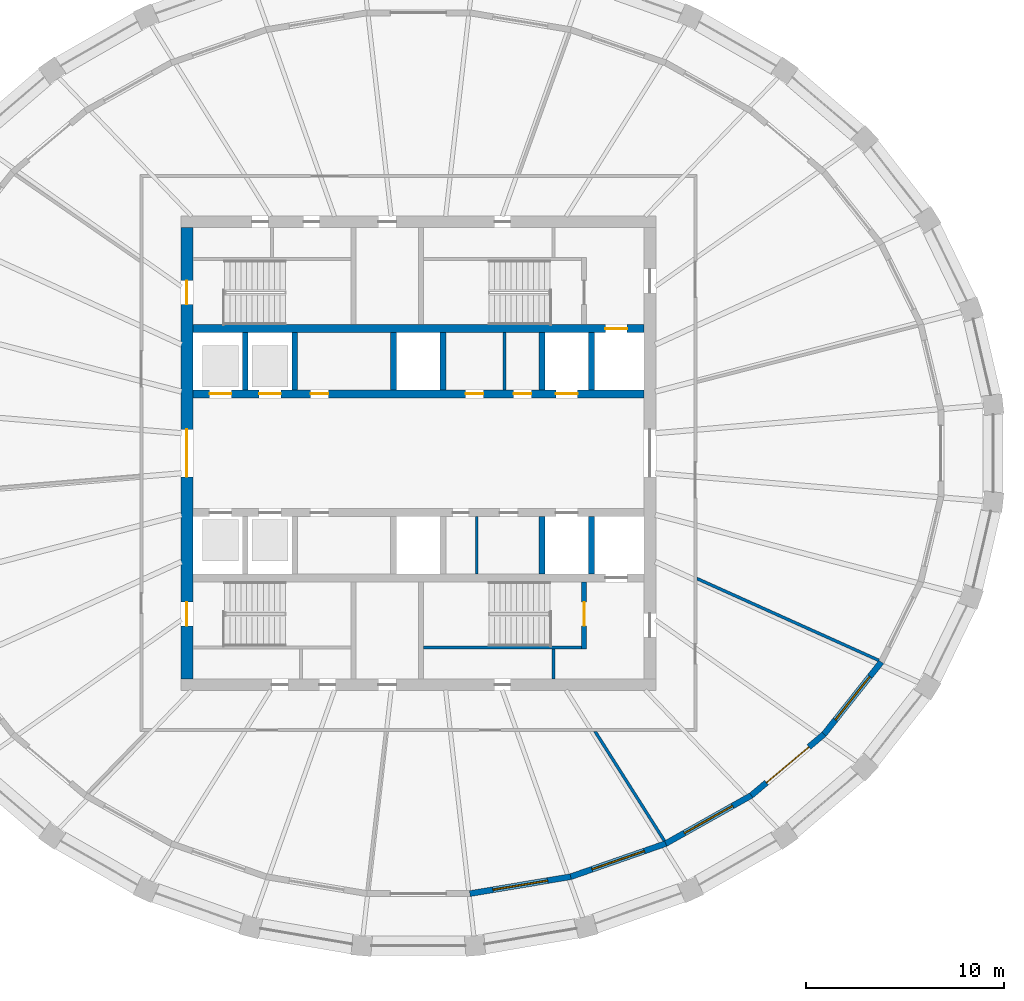
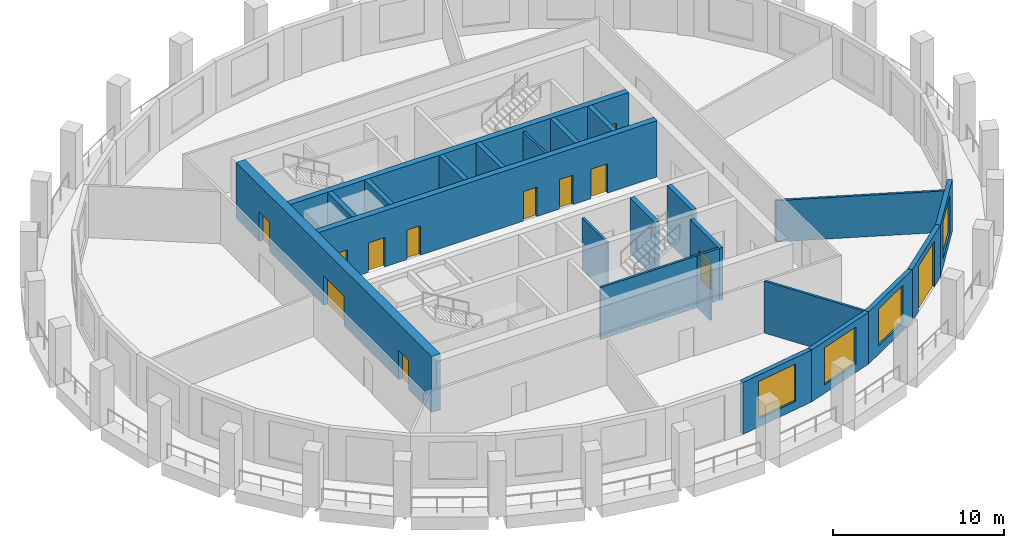
# One storey, part 4 of 10: 23 walls, 12 doors, 4 windows, 16 openings.
"""IFC4 building model written with IfcOpenShell, lengths in metres."""

from ifc_helpers import new_model, si_unit, direction, frame, frame_2d, origin, place, context, subcontext, project, spatial, polyline, rectangle, outline, extrude, material, layer, layer_set, type_object, element, fill, save


model = new_model("IFC4")

# Units and contexts
model_context = context("Model", 3, precision=1e-05, world=origin(), true_north=direction((0.0, 1.0)))
body_context = subcontext(model_context, "Body", "Model", "MODEL_VIEW")
ifc_project = project(units=[si_unit("LENGTHUNIT", "METRE"), si_unit("AREAUNIT", "SQUARE_METRE"), si_unit("VOLUMEUNIT", "CUBIC_METRE"), si_unit("PLANEANGLEUNIT", "RADIAN"), si_unit("MASSUNIT", "GRAM", prefix="KILO")], contexts=[model_context])

# Site, building, storey
site_placement = place(None, origin())
site = spatial("IfcSite", under=ifc_project, at=site_placement, CompositionType="ELEMENT")
building_placement = place(site_placement, origin())
building = spatial("IfcBuilding", under=site, at=building_placement, Name="Halqa Exchange Tower", CompositionType="ELEMENT")
storey_placement = place(building_placement, frame((0.0, 0.0, 296.300048828125)))
storey = spatial("IfcBuildingStorey", under=building, at=storey_placement, Name="L69", CompositionType="ELEMENT", Elevation=296.300048828125)

# Walls
ifc_material_1 = material(Name="Fire-rated gypsum board")
ifc_layer_1 = layer(ifc_material_1, 0.14990234375)
ifc_layer_set_1 = layer_set([ifc_layer_1], Name="Fire-rated gypsum board")
wall_type_1 = type_object("IfcWallType", Name="Fire partition EI 60 150", PredefinedType="PARTITIONING", material=ifc_layer_set_1)
wall_1_placement = place(storey_placement, frame((8.912109375, -14.034912109375, 0.0), z_axis=(0.0, 0.0, 1.0), x_axis=(0.535569757711, -0.844490991442, 0.0)))
element("IfcWall", 1, at=wall_1_placement, inside=storey, type_object=wall_type_1, Name="L69-PWL-009", PredefinedType="PARTITIONING", context=body_context, shape_type="SweptSolid", body=[
    extrude(outline(polyline([(0.0, -0.074951171875), (1.640869140625, -0.074951171875), (3.281494140625, -0.074951171875), (4.92236328125, -0.074951171875), (6.563232421875, -0.074951171875), (6.580810546875, 0.0009765625), (6.584716796875, 0.0732421875), (6.584716796875, 0.074951171875), (4.96240234375, 0.074951171875), (3.33984375, 0.074951171875), (1.717529296875, 0.074951171875), (0.094970703125, 0.074951171875), (0.0, -0.074951171875), (0.0, -0.074951171875)])), origin(), (0.0, 0.0, 1.0), 3.699951171875),
])
wall_2_placement = place(storey_placement, frame((14.044677734375, -6.320068359375, 0.0), z_axis=(0.0, 0.0, 1.0), x_axis=(0.912030730905, -0.410121867114, 0.0)))
element("IfcWall", 2, at=wall_2_placement, inside=storey, type_object=wall_type_1, Name="L69-PWL-011", PredefinedType="PARTITIONING", context=body_context, shape_type="SweptSolid", body=[
    extrude(outline(polyline([(0.06689453125, -0.074951171875), (1.73876953125, -0.074951171875), (3.410400390625, -0.074951171875), (5.082275390625, -0.074951171875), (6.75390625, -0.074951171875), (8.42578125, -0.074951171875), (10.097412109375, -0.074951171875), (10.115478515625, -0.003662109375), (10.1181640625, 0.072998046875), (10.1181640625, 0.074951171875), (8.431884765625, 0.074951171875), (6.745361328125, 0.074951171875), (5.05908203125, 0.074951171875), (3.372802734375, 0.074951171875), (1.686279296875, 0.074951171875), (0.0, 0.074951171875), (0.0, 0.073974609375), (0.06689453125, -0.074951171875)])), origin(), (0.0, 0.0, 1.0), 2.947021484375),
])
ifc_material_2 = material(Name="Gypsum board")
ifc_layer_2 = layer(ifc_material_2, 0.14990234375)
ifc_layer_set_2 = layer_set([ifc_layer_2], Name="Gypsum board")
wall_type_2 = type_object("IfcWallType", Name="Penthouse riser wall 150 gypsum", PredefinedType="PARTITIONING", material=ifc_layer_set_2)
wall_3_placement = place(storey_placement, frame((6.824951171875, -11.39990234375, 0.0), z_axis=(0.0, 0.0, 1.0), x_axis=(0.0, 1.0, 0.0)))
element("IfcWall", 3, at=wall_3_placement, inside=storey, type_object=wall_type_2, Name="Firefighting lobby west wall S", PredefinedType="PARTITIONING", context=body_context, shape_type="SweptSolid", body=[
    extrude(rectangle(XDim=1.5, YDim=0.14990234375, at=frame_2d((0.75, 0.0))), origin(), (0.0, 0.0, 1.0), 3.699951171875),
])
for number, where, z_axis, x_axis, name in (
    (4, (4.35009765625, 3.199951171875, 0.0), (0.0, 0.0, 1.0), (0.0, 1.0, 0.0), "Freed bay partition NE4.350"),
    (5, (2.949951171875, -6.10009765625, 0.0), (0.0, 0.0, 1.0), (0.0, 1.0, 0.0), "Freed bay partition SE2.950"),
):
    element("IfcWall", number, at=place(storey_placement, frame(where, z_axis=z_axis, x_axis=x_axis)), inside=storey, type_object=wall_type_2, Name=name, PredefinedType="PARTITIONING", context=body_context, shape_type="SweptSolid", body=[
        extrude(rectangle(XDim=2.900146484375, YDim=0.14990234375, at=frame_2d((1.4501953125, 0.0))), origin(), (0.0, 0.0, 1.0), 3.699951171875),
    ])
ifc_material_3 = material(Name="Concrete C60/75", Category="concrete")
ifc_layer_3 = layer(ifc_material_3, 0.300048828125)
ifc_layer_set_3 = layer_set([ifc_layer_3], Name="Concrete C60/75")
wall_type_3 = type_object("IfcWallType", Name="RC core wall 300", PredefinedType="SHEAR", material=ifc_layer_set_3)
for number, where, z_axis, x_axis, name in (
    (6, (-8.75, 3.199951171875, 0.0), (0.0, 0.0, 1.0), (0.0, 1.0, 0.0), "Shaft divider N1"),
    (7, (-6.25, 3.199951171875, 0.0), (0.0, 0.0, 1.0), (0.0, 1.0, 0.0), "Shaft divider N2"),
    (8, (-1.25, 3.199951171875, 0.0), (0.0, 0.0, 1.0), (0.0, 1.0, 0.0), "Shaft divider N4"),
    (9, (1.25, 3.199951171875, 0.0), (0.0, 0.0, 1.0), (0.0, 1.0, 0.0), "Shaft divider N5"),
    (10, (6.25, 3.199951171875, 0.0), (0.0, 0.0, 1.0), (0.0, 1.0, 0.0), "Shaft divider N7"),
    (11, (8.75, 3.199951171875, 0.0), (0.0, 0.0, 1.0), (0.0, 1.0, 0.0), "Shaft divider N8"),
    (12, (6.25, -6.10009765625, 0.0), (0.0, 0.0, 1.0), (0.0, 1.0, 0.0), "Shaft divider S7"),
    (13, (8.75, -6.10009765625, 0.0), (0.0, 0.0, 1.0), (0.0, 1.0, 0.0), "Shaft divider S8"),
):
    element("IfcWall", number, at=place(storey_placement, frame(where, z_axis=z_axis, x_axis=x_axis)), inside=storey, type_object=wall_type_3, Name=name, PredefinedType="SHEAR", context=body_context, shape_type="SweptSolid", body=[
        extrude(rectangle(XDim=2.900146484375, YDim=0.300048828125, at=frame_2d((1.4501953125, 0.0))), origin(), (0.0, 0.0, 1.0), 4.0),
    ])

# Wall, openings, doors
ifc_layer_4 = layer(ifc_material_3, 0.39990234375)
ifc_layer_set_4 = layer_set([ifc_layer_4], Name="Concrete C60/75")
wall_type_4 = type_object("IfcWallType", Name="RC core wall 400 C60/75", PredefinedType="SHEAR", material=ifc_layer_set_4)
wall_4_placement = place(storey_placement, frame((-11.39990234375, 3.0, 0.0), z_axis=(0.0, 0.0, 1.0), x_axis=(1.0, 0.0, 0.0)))
wall_4 = element("IfcWall", 14, at=wall_4_placement, inside=storey, type_object=wall_type_4, Name="Lift row front wall N", PredefinedType="SHEAR", context=body_context, shape_type="SweptSolid", body=[
    extrude(rectangle(XDim=22.7998046875, YDim=0.39990234375, at=frame_2d((11.39990234375, 0.0))), origin(), (0.0, 0.0, 1.0), 4.0),
])
opening_1_placement = place(wall_4_placement, frame((0.85009765625, 0.0, 0.0)))
opening_1 = element("IfcOpeningElement", 15, at=opening_1_placement, cuts=wall_4, Name="Opening LD-HR1-T21", PredefinedType="OPENING", context=body_context, shape_type="SweptSolid", body=[
    extrude(rectangle(XDim=1.10009765625, YDim=2.10009765625, at=frame_2d((0.550048828125, 1.050048828125))), frame((0.0, 0.2119140625, 0.0), z_axis=(0.0, -1.0, 0.0), x_axis=(1.0, 0.0, 0.0)), (0.0, 0.0, 1.0), 0.423828125),
])
opening_2_placement = place(wall_4_placement, frame((3.35009765625, 0.0, 0.0)))
opening_2 = element("IfcOpeningElement", 16, at=opening_2_placement, cuts=wall_4, Name="Opening LD-HR2-T21", PredefinedType="OPENING", context=body_context, shape_type="SweptSolid", body=[
    extrude(rectangle(XDim=1.10009765625, YDim=2.10009765625, at=frame_2d((0.550048828125, 1.050048828125))), frame((0.0, 0.2119140625, 0.0), z_axis=(0.0, -1.0, 0.0), x_axis=(1.0, 0.0, 0.0)), (0.0, 0.0, 1.0), 0.423828125),
])
opening_3_placement = place(wall_4_placement, frame((18.35009765625, 0.0, 0.0)))
opening_3 = element("IfcOpeningElement", 17, at=opening_3_placement, cuts=wall_4, Name="Opening LD-SV1-T21", PredefinedType="OPENING", context=body_context, shape_type="SweptSolid", body=[
    extrude(rectangle(XDim=1.10009765625, YDim=2.10009765625, at=frame_2d((0.550048828125, 1.050048828125))), frame((0.0, 0.2119140625, 0.0), z_axis=(0.0, -1.0, 0.0), x_axis=(1.0, 0.0, 0.0)), (0.0, 0.0, 1.0), 0.423828125),
])
opening_4_placement = place(wall_4_placement, frame((13.78759765625, 0.0, 0.0)))
opening_4 = element("IfcOpeningElement", 18, at=opening_4_placement, cuts=wall_4, Name="Opening T21-C25", PredefinedType="OPENING", context=body_context, shape_type="SweptSolid", body=[
    extrude(rectangle(XDim=0.89990234375, YDim=2.10009765625, at=frame_2d((0.449951171875, 1.050048828125))), frame((0.0, 0.2119140625, 0.0), z_axis=(0.0, -1.0, 0.0), x_axis=(1.0, 0.0, 0.0)), (0.0, 0.0, 1.0), 0.423828125),
])
opening_5_placement = place(wall_4_placement, frame((16.21240234375, 0.0, 0.0)))
opening_5 = element("IfcOpeningElement", 19, at=opening_5_placement, cuts=wall_4, Name="Opening T21-C26", PredefinedType="OPENING", context=body_context, shape_type="SweptSolid", body=[
    extrude(rectangle(XDim=0.89990234375, YDim=2.10009765625, at=frame_2d((0.449951171875, 1.050048828125))), frame((0.0, 0.2119140625, 0.0), z_axis=(0.0, -1.0, 0.0), x_axis=(1.0, 0.0, 0.0)), (0.0, 0.0, 1.0), 0.423828125),
])
opening_6_placement = place(wall_4_placement, frame((5.949951171875, 0.0, 0.0)))
opening_6 = element("IfcOpeningElement", 20, at=opening_6_placement, cuts=wall_4, Name="Opening T21-C27", PredefinedType="OPENING", context=body_context, shape_type="SweptSolid", body=[
    extrude(rectangle(XDim=0.89990234375, YDim=2.10009765625, at=frame_2d((0.449951171875, 1.050048828125))), frame((0.0, 0.2119140625, 0.0), z_axis=(0.0, -1.0, 0.0), x_axis=(1.0, 0.0, 0.0)), (0.0, 0.0, 1.0), 0.423828125),
])
ifc_material_4 = material(Name="Timber fire door leaf", Category="wood")
door_type_1 = type_object("IfcDoorType", Name="Core room door FD30 900 x 2100", OperationType="SINGLE_SWING_LEFT", PredefinedType="DOOR", material=ifc_material_4)
door_1_placement = place(opening_4_placement, origin())
door_1 = element("IfcDoor", 21, at=door_1_placement, inside=storey, type_object=door_type_1, Name="Core room door", OperationType="SINGLE_SWING_RIGHT", OverallHeight=2.10009765625, OverallWidth=0.89990234375, PredefinedType="DOOR", context=body_context, shape_type="SweptSolid", body=[
    extrude(rectangle(XDim=0.89990234375, YDim=2.10009765625, at=frame_2d((0.449951171875, 1.050048828125))), frame((0.0, 0.02490234375, 0.0), z_axis=(0.0, -1.0, 0.0), x_axis=(1.0, 0.0, 0.0)), (0.0, 0.0, 1.0), 0.050048828125),
])
fill(opening_4, door_1)
door_2_placement = place(opening_5_placement, origin())
door_2 = element("IfcDoor", 22, at=door_2_placement, inside=storey, type_object=door_type_1, Name="Core room door", OperationType="SINGLE_SWING_RIGHT", OverallHeight=2.10009765625, OverallWidth=0.89990234375, PredefinedType="DOOR", context=body_context, shape_type="SweptSolid", body=[
    extrude(rectangle(XDim=0.89990234375, YDim=2.10009765625, at=frame_2d((0.449951171875, 1.050048828125))), frame((0.0, 0.02490234375, 0.0), z_axis=(0.0, -1.0, 0.0), x_axis=(1.0, 0.0, 0.0)), (0.0, 0.0, 1.0), 0.050048828125),
])
fill(opening_5, door_2)
door_3_placement = place(opening_6_placement, origin())
door_3 = element("IfcDoor", 23, at=door_3_placement, inside=storey, type_object=door_type_1, Name="Core room door", OperationType="SINGLE_SWING_RIGHT", OverallHeight=2.10009765625, OverallWidth=0.89990234375, PredefinedType="DOOR", context=body_context, shape_type="SweptSolid", body=[
    extrude(rectangle(XDim=0.89990234375, YDim=2.10009765625, at=frame_2d((0.449951171875, 1.050048828125))), frame((0.0, 0.02490234375, 0.0), z_axis=(0.0, -1.0, 0.0), x_axis=(1.0, 0.0, 0.0)), (0.0, 0.0, 1.0), 0.050048828125),
])
fill(opening_6, door_3)
ifc_material_5 = material(Name="Stainless steel", Category="steel")
door_type_2 = type_object("IfcDoorType", Name="Lift landing door 1100 x 2100", OperationType="SLIDING_TO_LEFT", PredefinedType="DOOR", material=ifc_material_5)
door_4_placement = place(opening_1_placement, origin())
door_4 = element("IfcDoor", 24, at=door_4_placement, inside=storey, type_object=door_type_2, Name="Lift landing door HR1", OperationType="SLIDING_TO_LEFT", OverallHeight=2.10009765625, OverallWidth=1.10009765625, PredefinedType="DOOR", context=body_context, shape_type="SweptSolid", body=[
    extrude(rectangle(XDim=1.10009765625, YDim=2.10009765625, at=frame_2d((0.550048828125, 1.050048828125))), frame((0.0, 0.02490234375, 0.0), z_axis=(0.0, -1.0, 0.0), x_axis=(1.0, 0.0, 0.0)), (0.0, 0.0, 1.0), 0.050048828125),
])
fill(opening_1, door_4)
door_5_placement = place(opening_2_placement, origin())
door_5 = element("IfcDoor", 25, at=door_5_placement, inside=storey, type_object=door_type_2, Name="Lift landing door HR2", OperationType="SLIDING_TO_LEFT", OverallHeight=2.10009765625, OverallWidth=1.10009765625, PredefinedType="DOOR", context=body_context, shape_type="SweptSolid", body=[
    extrude(rectangle(XDim=1.10009765625, YDim=2.10009765625, at=frame_2d((0.550048828125, 1.050048828125))), frame((0.0, 0.02490234375, 0.0), z_axis=(0.0, -1.0, 0.0), x_axis=(1.0, 0.0, 0.0)), (0.0, 0.0, 1.0), 0.050048828125),
])
fill(opening_2, door_5)
door_6_placement = place(opening_3_placement, origin())
door_6 = element("IfcDoor", 26, at=door_6_placement, inside=storey, type_object=door_type_2, Name="Lift landing door SV1", OperationType="SLIDING_TO_LEFT", OverallHeight=2.10009765625, OverallWidth=1.10009765625, PredefinedType="DOOR", context=body_context, shape_type="SweptSolid", body=[
    extrude(rectangle(XDim=1.10009765625, YDim=2.10009765625, at=frame_2d((0.550048828125, 1.050048828125))), frame((0.0, 0.02490234375, 0.0), z_axis=(0.0, -1.0, 0.0), x_axis=(1.0, 0.0, 0.0)), (0.0, 0.0, 1.0), 0.050048828125),
])
fill(opening_3, door_6)

# Wall, opening, door
wall_5_placement = place(storey_placement, frame((-11.39990234375, 6.300048828125, 0.0), z_axis=(0.0, 0.0, 1.0), x_axis=(1.0, 0.0, 0.0)))
wall_5 = element("IfcWall", 27, at=wall_5_placement, inside=storey, type_object=wall_type_4, Name="Lift row back wall N", PredefinedType="SHEAR", context=body_context, shape_type="SweptSolid", body=[
    extrude(rectangle(XDim=22.7998046875, YDim=0.39990234375, at=frame_2d((11.39990234375, 0.0))), origin(), (0.0, 0.0, 1.0), 4.0),
])
opening_7_placement = place(wall_5_placement, frame((20.85009765625, 0.0, 0.0)))
opening_7 = element("IfcOpeningElement", 28, at=opening_7_placement, cuts=wall_5, Name="Opening LD-FF1-T21", PredefinedType="OPENING", context=body_context, shape_type="SweptSolid", body=[
    extrude(rectangle(XDim=1.10009765625, YDim=2.10009765625, at=frame_2d((0.550048828125, 1.050048828125))), frame((0.0, 0.2119140625, 0.0), z_axis=(0.0, -1.0, 0.0), x_axis=(1.0, 0.0, 0.0)), (0.0, 0.0, 1.0), 0.423828125),
])
door_7_placement = place(opening_7_placement, origin())
door_7 = element("IfcDoor", 29, at=door_7_placement, inside=storey, type_object=door_type_2, Name="Lift landing door FF1", OperationType="SLIDING_TO_LEFT", OverallHeight=2.10009765625, OverallWidth=1.10009765625, PredefinedType="DOOR", context=body_context, shape_type="SweptSolid", body=[
    extrude(rectangle(XDim=1.10009765625, YDim=2.10009765625, at=frame_2d((0.550048828125, 1.050048828125))), frame((0.0, 0.02490234375, 0.0), z_axis=(0.0, -1.0, 0.0), x_axis=(1.0, 0.0, 0.0)), (0.0, 0.0, 1.0), 0.050048828125),
])
fill(opening_7, door_7)

# Wall, openings, doors
ifc_layer_5 = layer(ifc_material_3, 0.60009765625)
ifc_layer_set_5 = layer_set([ifc_layer_5], Name="Concrete C60/75")
wall_type_5 = type_object("IfcWallType", Name="RC core wall 600 C60/75", PredefinedType="SHEAR", material=ifc_layer_set_5)
wall_6_placement = place(storey_placement, frame((-11.699951171875, -11.39990234375, 0.0), z_axis=(0.0, 0.0, 1.0), x_axis=(0.0, 1.0, 0.0)))
wall_6 = element("IfcWall", 30, at=wall_6_placement, inside=storey, type_object=wall_type_5, Name="Core wall west", PredefinedType="SHEAR", context=body_context, shape_type="SweptSolid", body=[
    extrude(rectangle(XDim=22.7998046875, YDim=0.60009765625, at=frame_2d((11.39990234375, 0.0))), origin(), (0.0, 0.0, 1.0), 4.0),
])
opening_8_placement = place(wall_6_placement, frame((10.199951171875, 0.0, 0.0)))
opening_8 = element("IfcOpeningElement", 31, at=opening_8_placement, cuts=wall_6, Name="Opening T21-C09", PredefinedType="OPENING", context=body_context, shape_type="SweptSolid", body=[
    extrude(rectangle(XDim=2.39990234375, YDim=2.10009765625, at=frame_2d((1.199951171875, 1.050048828125))), frame((0.0, 0.31201171875, 0.0), z_axis=(0.0, -1.0, 0.0), x_axis=(1.0, 0.0, 0.0)), (0.0, 0.0, 1.0), 0.6240234375),
])
opening_9_placement = place(wall_6_placement, frame((18.925048828125, 0.0, 0.0)))
opening_9 = element("IfcOpeningElement", 32, at=opening_9_placement, cuts=wall_6, Name="Opening T21-C11", PredefinedType="OPENING", context=body_context, shape_type="SweptSolid", body=[
    extrude(rectangle(XDim=1.199951171875, YDim=2.10009765625, at=frame_2d((0.60009765625, 1.050048828125))), frame((0.0, 0.31201171875, 0.0), z_axis=(0.0, -1.0, 0.0), x_axis=(1.0, 0.0, 0.0)), (0.0, 0.0, 1.0), 0.6240234375),
])
opening_10_placement = place(wall_6_placement, frame((2.675048828125, 0.0, 0.0)))
opening_10 = element("IfcOpeningElement", 33, at=opening_10_placement, cuts=wall_6, Name="Opening T21-C13", PredefinedType="OPENING", context=body_context, shape_type="SweptSolid", body=[
    extrude(rectangle(XDim=1.199951171875, YDim=2.10009765625, at=frame_2d((0.60009765625, 1.050048828125))), frame((0.0, 0.31201171875, 0.0), z_axis=(0.0, -1.0, 0.0), x_axis=(1.0, 0.0, 0.0)), (0.0, 0.0, 1.0), 0.6240234375),
])
ifc_material_6 = material(Name="Steel fire door leaf", Category="steel")
door_type_3 = type_object("IfcDoorType", Name="Lobby double door FD60 2400 x 2100", OperationType="DOUBLE_DOOR_SINGLE_SWING", PredefinedType="DOOR", material=ifc_material_6)
door_8_placement = place(opening_8_placement, frame((2.39990234375, 0.0, 0.0), z_axis=(0.0, 0.0, 1.0), x_axis=(-1.0, 0.0, 0.0)))
door_8 = element("IfcDoor", 34, at=door_8_placement, inside=storey, type_object=door_type_3, Name="Lift lobby double door", OperationType="DOUBLE_DOOR_SINGLE_SWING", OverallHeight=2.10009765625, OverallWidth=2.39990234375, PredefinedType="DOOR", context=body_context, shape_type="SweptSolid", body=[
    extrude(rectangle(XDim=2.39990234375, YDim=2.10009765625, at=frame_2d((1.199951171875, 1.050048828125))), frame((0.0, 0.02490234375, 0.0), z_axis=(0.0, -1.0, 0.0), x_axis=(1.0, 0.0, 0.0)), (0.0, 0.0, 1.0), 0.050048828125),
])
fill(opening_8, door_8)
door_type_4 = type_object("IfcDoorType", Name="Stair door FD90 1200 x 2100", OperationType="SINGLE_SWING_LEFT", PredefinedType="DOOR", material=ifc_material_6)
door_9_placement = place(opening_9_placement, frame((1.199951171875, 0.0, 0.0), z_axis=(0.0, 0.0, 1.0), x_axis=(-1.0, 0.0, 0.0)))
door_9 = element("IfcDoor", 35, at=door_9_placement, inside=storey, type_object=door_type_4, Name="Stair door ST1", OperationType="SINGLE_SWING_LEFT", OverallHeight=2.10009765625, OverallWidth=1.199951171875, PredefinedType="DOOR", context=body_context, shape_type="SweptSolid", body=[
    extrude(rectangle(XDim=1.199951171875, YDim=2.10009765625, at=frame_2d((0.60009765625, 1.050048828125))), frame((0.0, 0.02490234375, 0.0), z_axis=(0.0, -1.0, 0.0), x_axis=(1.0, 0.0, 0.0)), (0.0, 0.0, 1.0), 0.050048828125),
])
fill(opening_9, door_9)
door_10_placement = place(opening_10_placement, frame((1.199951171875, 0.0, 0.0), z_axis=(0.0, 0.0, 1.0), x_axis=(-1.0, 0.0, 0.0)))
door_10 = element("IfcDoor", 36, at=door_10_placement, inside=storey, type_object=door_type_4, Name="Stair door ST3", OperationType="SINGLE_SWING_LEFT", OverallHeight=2.10009765625, OverallWidth=1.199951171875, PredefinedType="DOOR", context=body_context, shape_type="SweptSolid", body=[
    extrude(rectangle(XDim=1.199951171875, YDim=2.10009765625, at=frame_2d((0.60009765625, 1.050048828125))), frame((0.0, 0.02490234375, 0.0), z_axis=(0.0, -1.0, 0.0), x_axis=(1.0, 0.0, 0.0)), (0.0, 0.0, 1.0), 0.050048828125),
])
fill(opening_10, door_10)

# Wall
ifc_material_7 = material(Name="Concrete C30/37", Category="concrete")
ifc_layer_6 = layer(ifc_material_7, 0.14990234375)
ifc_layer_set_6 = layer_set([ifc_layer_6], Name="Concrete C30/37")
wall_type_6 = type_object("IfcWallType", Name="RC stair wall 150 C30/37", PredefinedType="SHEAR", material=ifc_layer_set_6)
wall_7_placement = place(storey_placement, frame((0.25, -9.824951171875, 0.0), z_axis=(0.0, 0.0, 1.0), x_axis=(1.0, 0.0, 0.0)))
element("IfcWall", 37, at=wall_7_placement, inside=storey, type_object=wall_type_6, Name="Stair ST2 north wall S", PredefinedType="SHEAR", context=body_context, shape_type="SweptSolid", body=[
    extrude(rectangle(XDim=8.0, YDim=0.14990234375, at=frame_2d((4.0, 0.0))), origin(), (0.0, 0.0, 1.0), 3.699951171875),
])

# Wall, opening, door
ifc_layer_7 = layer(ifc_material_7, 0.25)
ifc_layer_set_7 = layer_set([ifc_layer_7], Name="Concrete C30/37")
wall_type_7 = type_object("IfcWallType", Name="RC stair wall 250 C30/37", PredefinedType="SHEAR", material=ifc_layer_set_7)
wall_8_placement = place(storey_placement, frame((8.375, -9.89990234375, 0.0), z_axis=(0.0, 0.0, 1.0), x_axis=(0.0, 1.0, 0.0)))
wall_8 = element("IfcWall", 38, at=wall_8_placement, inside=storey, type_object=wall_type_7, Name="Stair ST2 east wall S", PredefinedType="SHEAR", context=body_context, shape_type="SweptSolid", body=[
    extrude(rectangle(XDim=3.39990234375, YDim=0.25, at=frame_2d((1.699951171875, 0.0))), origin(), (0.0, 0.0, 1.0), 3.699951171875),
])
opening_11_placement = place(wall_8_placement, frame((1.175048828125, 0.0, 0.0)))
opening_11 = element("IfcOpeningElement", 39, at=opening_11_placement, cuts=wall_8, Name="Opening T21-C14", PredefinedType="OPENING", context=body_context, shape_type="SweptSolid", body=[
    extrude(rectangle(XDim=1.199951171875, YDim=2.10009765625, at=frame_2d((0.60009765625, 1.050048828125))), frame((0.0, 0.136962890625, 0.0), z_axis=(0.0, -1.0, 0.0), x_axis=(1.0, 0.0, 0.0)), (0.0, 0.0, 1.0), 0.27392578125),
])
door_11_placement = place(opening_11_placement, origin())
door_11 = element("IfcDoor", 40, at=door_11_placement, inside=storey, type_object=door_type_4, Name="Stair door ST4", OperationType="SINGLE_SWING_LEFT", OverallHeight=2.10009765625, OverallWidth=1.199951171875, PredefinedType="DOOR", context=body_context, shape_type="SweptSolid", body=[
    extrude(rectangle(XDim=1.199951171875, YDim=2.10009765625, at=frame_2d((0.60009765625, 1.050048828125))), frame((0.0, 0.02490234375, 0.0), z_axis=(0.0, -1.0, 0.0), x_axis=(1.0, 0.0, 0.0)), (0.0, 0.0, 1.0), 0.050048828125),
])
fill(opening_11, door_11)

# Wall, opening, window
ifc_material_8 = material(Name="Limestone cladding", Category="masonry")
ifc_layer_8 = layer(ifc_material_8, 0.0400390625)
ifc_material_9 = material(Name="Ventilated cavity")
ifc_layer_9 = layer(ifc_material_9, 0.030029296875, ventilated=True)
ifc_material_10 = material(Name="Mineral wool insulation")
ifc_layer_10 = layer(ifc_material_10, 0.10009765625)
ifc_layer_11 = layer(ifc_material_7, 0.10009765625)
ifc_material_11 = material(Name="Internal plaster")
ifc_layer_12 = layer(ifc_material_11, 0.030029296875)
ifc_layer_set_8 = layer_set([ifc_layer_8, ifc_layer_9, ifc_layer_10, ifc_layer_11, ifc_layer_12], Name="Stone-faced insulated wall 300")
wall_type_8 = type_object("IfcWallType", Name="Stone-faced insulated wall 300", PredefinedType="STANDARD", material=ifc_layer_set_8)
wall_9_placement = place(storey_placement, frame((2.5986328125, -22.258056640625, 0.0), z_axis=(0.0, 0.0, 1.0), x_axis=(0.986263399459, 0.165180225475, 0.0)))
wall_9 = element("IfcWall", 41, at=wall_9_placement, inside=storey, type_object=wall_type_8, Name="Glass-line wall 25", PredefinedType="STANDARD", context=body_context, shape_type="SweptSolid", body=[
    extrude(outline(polyline([(-0.012451171875, -0.14990234375), (5.181396484375, -0.14990234375), (5.156005859375, 0.14990234375), (0.012451171875, 0.14990234375), (-0.012451171875, -0.14990234375)])), origin(), (0.0, 0.0, 1.0), 3.699951171875),
])
opening_12_placement = place(wall_9_placement, frame((1.184326171875, 0.0, 0.60009765625)))
opening_12 = element("IfcOpeningElement", 42, at=opening_12_placement, cuts=wall_9, Name="Opening W-F4-25", PredefinedType="OPENING", context=body_context, shape_type="SweptSolid", body=[
    extrude(rectangle(XDim=2.800048828125, YDim=2.64990234375, at=frame_2d((1.39990234375, 1.324951171875))), frame((0.0, 0.162109375, 0.0), z_axis=(0.0, -1.0, 0.0), x_axis=(1.0, 0.0, 0.0)), (0.0, 0.0, 1.0), 0.323974609375),
])
ifc_material_12 = material(Name="Clear low-emissivity glass in aluminium frame", Category="aluminium")
window_type = type_object("IfcWindowType", Name="Fixed clear glazed window 2800 x 2650", PartitioningType="DOUBLE_PANEL_VERTICAL", PredefinedType="WINDOW", material=ifc_material_12)
window_1_placement = place(opening_12_placement, origin())
window_1 = element("IfcWindow", 43, at=window_1_placement, inside=storey, type_object=window_type, Name="Window 4", OverallHeight=2.64990234375, OverallWidth=2.800048828125, PartitioningType="DOUBLE_PANEL_VERTICAL", PredefinedType="WINDOW", context=body_context, shape_type="SweptSolid", body=[
    extrude(rectangle(XDim=2.800048828125, YDim=2.64990234375, at=frame_2d((1.39990234375, 1.324951171875))), frame((0.0, 0.030029296875, 0.0), z_axis=(0.0, -1.0, 0.0), x_axis=(1.0, 0.0, 0.0)), (0.0, 0.0, 1.0), 0.06005859375),
])
fill(opening_12, window_1)

wall_10_placement = place(storey_placement, frame((7.6962890625, -21.404296875, 0.0), z_axis=(0.0, 0.0, 1.0), x_axis=(0.944230376095, 0.329285585564, 0.0)))
wall_10 = element("IfcWall", 44, at=wall_10_placement, inside=storey, type_object=wall_type_8, Name="Glass-line wall 26", PredefinedType="STANDARD", context=body_context, shape_type="SweptSolid", body=[
    extrude(outline(polyline([(-0.0126953125, -0.14990234375), (5.100341796875, -0.14990234375), (5.073486328125, 0.14990234375), (0.0126953125, 0.14990234375), (-0.0126953125, -0.14990234375)])), origin(), (0.0, 0.0, 1.0), 3.699951171875),
])
opening_13_placement = place(wall_10_placement, frame((1.143310546875, 0.0, 0.60009765625)))
opening_13 = element("IfcOpeningElement", 45, at=opening_13_placement, cuts=wall_10, Name="Opening W-F4-26", PredefinedType="OPENING", context=body_context, shape_type="SweptSolid", body=[
    extrude(rectangle(XDim=2.800048828125, YDim=2.64990234375, at=frame_2d((1.39990234375, 1.324951171875))), frame((0.0, 0.162109375, 0.0), z_axis=(0.0, -1.0, 0.0), x_axis=(1.0, 0.0, 0.0)), (0.0, 0.0, 1.0), 0.323974609375),
])
window_2_placement = place(opening_13_placement, origin())
window_2 = element("IfcWindow", 46, at=window_2_placement, inside=storey, type_object=window_type, Name="Window 4", OverallHeight=2.64990234375, OverallWidth=2.800048828125, PartitioningType="DOUBLE_PANEL_VERTICAL", PredefinedType="WINDOW", context=body_context, shape_type="SweptSolid", body=[
    extrude(rectangle(XDim=2.800048828125, YDim=2.64990234375, at=frame_2d((1.39990234375, 1.324951171875))), frame((0.0, 0.030029296875, 0.0), z_axis=(0.0, -1.0, 0.0), x_axis=(1.0, 0.0, 0.0)), (0.0, 0.0, 1.0), 0.06005859375),
])
fill(opening_13, window_2)

wall_11_placement = place(storey_placement, frame((12.49951171875, -19.729248046875, 0.0), z_axis=(0.0, 0.0, 1.0), x_axis=(0.871512454536, 0.490373369575, 0.0)))
wall_11 = element("IfcWall", 47, at=wall_11_placement, inside=storey, type_object=wall_type_8, Name="Glass-line wall 27", PredefinedType="STANDARD", context=body_context, shape_type="SweptSolid", body=[
    extrude(outline(polyline([(-0.013427734375, -0.14990234375), (4.975830078125, -0.14990234375), (4.947509765625, 0.14990234375), (0.013427734375, 0.14990234375), (-0.013427734375, -0.14990234375)])), origin(), (0.0, 0.0, 1.0), 3.699951171875),
])
opening_14_placement = place(wall_11_placement, frame((1.080810546875, 0.0, 0.60009765625)))
opening_14 = element("IfcOpeningElement", 48, at=opening_14_placement, cuts=wall_11, Name="Opening W-F4-27", PredefinedType="OPENING", context=body_context, shape_type="SweptSolid", body=[
    extrude(rectangle(XDim=2.800048828125, YDim=2.64990234375, at=frame_2d((1.39990234375, 1.324951171875))), frame((0.0, 0.162109375, 0.0), z_axis=(0.0, -1.0, 0.0), x_axis=(1.0, 0.0, 0.0)), (0.0, 0.0, 1.0), 0.323974609375),
])
window_3_placement = place(opening_14_placement, origin())
window_3 = element("IfcWindow", 49, at=window_3_placement, inside=storey, type_object=window_type, Name="Window 4", OverallHeight=2.64990234375, OverallWidth=2.800048828125, PartitioningType="DOUBLE_PANEL_VERTICAL", PredefinedType="WINDOW", context=body_context, shape_type="SweptSolid", body=[
    extrude(rectangle(XDim=2.800048828125, YDim=2.64990234375, at=frame_2d((1.39990234375, 1.324951171875))), frame((0.0, 0.030029296875, 0.0), z_axis=(0.0, -1.0, 0.0), x_axis=(1.0, 0.0, 0.0)), (0.0, 0.0, 1.0), 0.06005859375),
])
fill(opening_14, window_3)

# Wall, opening, door
wall_12_placement = place(storey_placement, frame((16.82373046875, -17.296142578125, 0.0), z_axis=(0.0, 0.0, 1.0), x_axis=(0.764966473721, 0.644070100286, 0.0)))
wall_12 = element("IfcWall", 50, at=wall_12_placement, inside=storey, type_object=wall_type_8, Name="Glass-line wall 28", PredefinedType="STANDARD", context=body_context, shape_type="SweptSolid", body=[
    extrude(outline(polyline([(-0.01416015625, -0.14990234375), (4.825439453125, -0.14990234375), (4.795166015625, 0.14990234375), (0.01416015625, 0.14990234375), (-0.01416015625, -0.14990234375)])), origin(), (0.0, 0.0, 1.0), 3.699951171875),
])
opening_15_placement = place(wall_12_placement, frame((1.005126953125, 0.0, 0.0)))
opening_15 = element("IfcOpeningElement", 51, at=opening_15_placement, cuts=wall_12, Name="Opening LG-F4-07", PredefinedType="OPENING", context=body_context, shape_type="SweptSolid", body=[
    extrude(rectangle(XDim=2.800048828125, YDim=3.25, at=frame_2d((1.39990234375, 1.625))), frame((0.0, 0.162109375, 0.0), z_axis=(0.0, -1.0, 0.0), x_axis=(1.0, 0.0, 0.0)), (0.0, 0.0, 1.0), 0.323974609375),
])
door_type_5 = type_object("IfcDoorType", Name="Glazed sliding loggia door 2800 x 3250", OperationType="DOUBLE_DOOR_SLIDING", PredefinedType="DOOR", material=ifc_material_12)
door_12_placement = place(opening_15_placement, origin())
door_12 = element("IfcDoor", 52, at=door_12_placement, inside=storey, type_object=door_type_5, Name="Loggia door 7", OperationType="DOUBLE_DOOR_SLIDING", OverallHeight=3.25, OverallWidth=2.800048828125, PredefinedType="DOOR", context=body_context, shape_type="SweptSolid", body=[
    extrude(rectangle(XDim=2.800048828125, YDim=3.25, at=frame_2d((1.39990234375, 1.625))), frame((0.0, 0.02490234375, 0.0), z_axis=(0.0, -1.0, 0.0), x_axis=(1.0, 0.0, 0.0)), (0.0, 0.0, 1.0), 0.050048828125),
])
fill(opening_15, door_12)

# Wall, opening, window
wall_13_placement = place(storey_placement, frame((20.50341796875, -14.197998046875, 0.0), z_axis=(0.0, 0.0, 1.0), x_axis=(0.621625671247, 0.783314448256, 0.0)))
wall_13 = element("IfcWall", 53, at=wall_13_placement, inside=storey, type_object=wall_type_8, Name="Glass-line wall 29", PredefinedType="STANDARD", context=body_context, shape_type="SweptSolid", body=[
    extrude(outline(polyline([(-0.01513671875, -0.14990234375), (4.669677734375, -0.14990234375), (4.637451171875, 0.14990234375), (0.01513671875, 0.14990234375), (-0.01513671875, -0.14990234375)])), origin(), (0.0, 0.0, 1.0), 3.699951171875),
])
opening_16_placement = place(wall_13_placement, frame((0.927001953125, 0.0, 0.60009765625)))
opening_16 = element("IfcOpeningElement", 54, at=opening_16_placement, cuts=wall_13, Name="Opening W-F4-29", PredefinedType="OPENING", context=body_context, shape_type="SweptSolid", body=[
    extrude(rectangle(XDim=2.800048828125, YDim=2.64990234375, at=frame_2d((1.39990234375, 1.324951171875))), frame((0.0, 0.162109375, 0.0), z_axis=(0.0, -1.0, 0.0), x_axis=(1.0, 0.0, 0.0)), (0.0, 0.0, 1.0), 0.323974609375),
])
window_4_placement = place(opening_16_placement, origin())
window_4 = element("IfcWindow", 55, at=window_4_placement, inside=storey, type_object=window_type, Name="Window 4", OverallHeight=2.64990234375, OverallWidth=2.800048828125, PartitioningType="DOUBLE_PANEL_VERTICAL", PredefinedType="WINDOW", context=body_context, shape_type="SweptSolid", body=[
    extrude(rectangle(XDim=2.800048828125, YDim=2.64990234375, at=frame_2d((1.39990234375, 1.324951171875))), frame((0.0, 0.030029296875, 0.0), z_axis=(0.0, -1.0, 0.0), x_axis=(1.0, 0.0, 0.0)), (0.0, 0.0, 1.0), 0.06005859375),
])
fill(opening_16, window_4)

save(model, "model.ifc")
